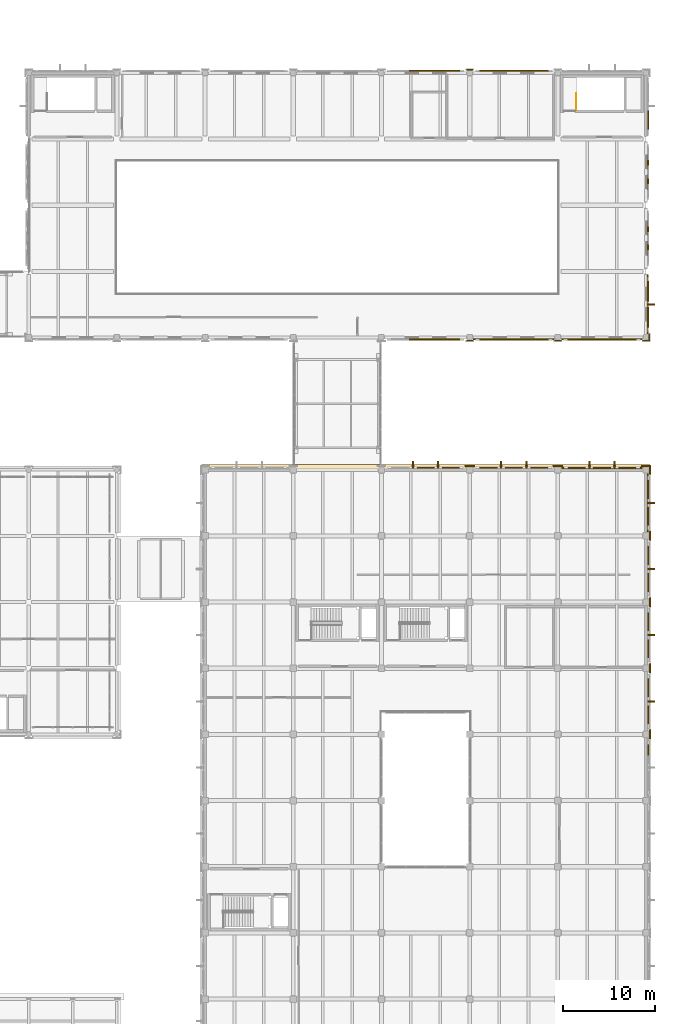
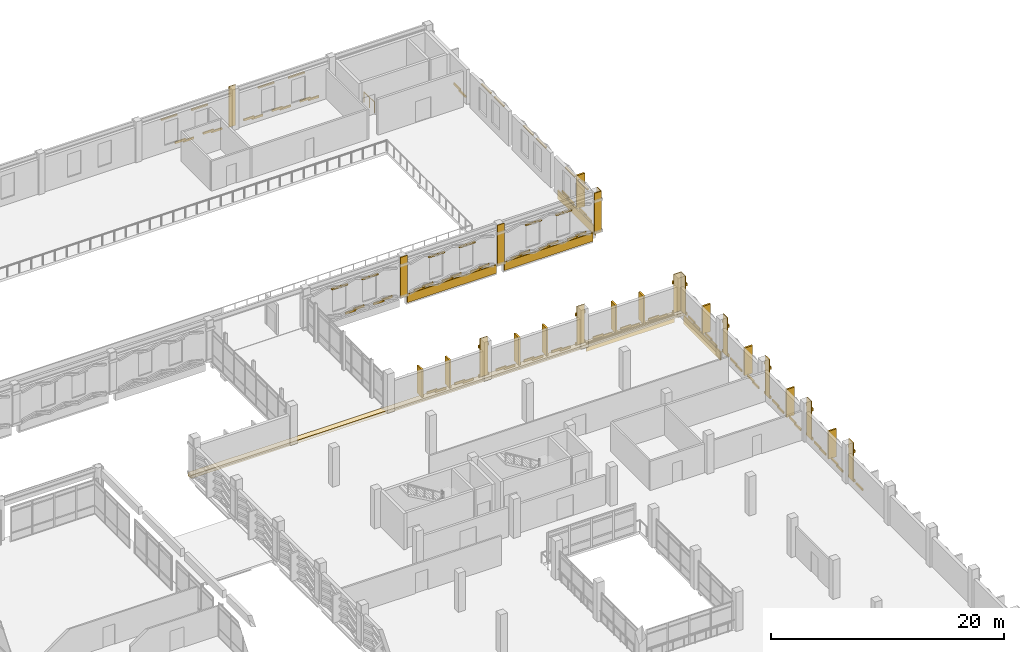
# One storey, part 178 of 180: 127 coverings, 1 railing.
"""IFC4 building model written with IfcOpenShell, lengths in metres."""

from ifc_helpers import new_model, si_unit, direction, frame, origin, origin_2d, place, context, subcontext, project, spatial, rectangle, circle, extrude, material, layer, layer_set, type_object, element, save


model = new_model("IFC4")

# Units and contexts
model_context = context("Model", 3, precision=1e-05, world=origin(), true_north=direction((0.0, 1.0)))
body_context = subcontext(model_context, "Body", "Model", "MODEL_VIEW")
ifc_project = project(units=[si_unit("LENGTHUNIT", "METRE"), si_unit("AREAUNIT", "SQUARE_METRE"), si_unit("VOLUMEUNIT", "CUBIC_METRE"), si_unit("PLANEANGLEUNIT", "RADIAN"), si_unit("MASSUNIT", "GRAM", prefix="KILO")], contexts=[model_context])

# Site, building, storey
site_placement = place(None, origin())
site = spatial("IfcSite", under=ifc_project, at=site_placement, CompositionType="ELEMENT")
building_placement = place(site_placement, origin())
building = spatial("IfcBuilding", under=site, at=building_placement, Name="Asteropetra Specialist Clinic", CompositionType="ELEMENT")
storey_placement = place(building_placement, frame((0.0, 0.0, 4.419921875)))
storey = spatial("IfcBuildingStorey", under=building, at=storey_placement, Name="L01", CompositionType="ELEMENT", Elevation=4.419921875)

# Coverings
ifc_material_1 = material(Name="Chevron aegean deep")
ifc_layer_1 = layer(ifc_material_1, 0.1201171875)
ifc_layer_set_1 = layer_set([ifc_layer_1], Name="Chevron aegean deep")
covering_type_1 = type_object("IfcCoveringType", Name="CLD-AEG-DEEP", PredefinedType="CLADDING", material=ifc_layer_set_1)
for number, where, z_axis, x_axis, name in (
    (1, (132.76025390625, 62.612548828125, 0.1201171875), (0.0, 0.0, 1.0), (1.0, 0.0, 0.0), "Chevron Ceramic Band CV-2038"),
    (2, (131.9462890625, 62.612548828125, 0.26025390625), (0.0, 0.0, 1.0), (1.0, 0.0, 0.0), "Chevron Ceramic Band CV-2039"),
    (3, (130.007080078125, 62.612548828125, 0.1201171875), (0.0, 0.0, 1.0), (1.0, 0.0, 0.0), "Chevron Ceramic Band CV-2040"),
    (4, (129.193115234375, 62.612548828125, 0.26025390625), (0.0, 0.0, 1.0), (1.0, 0.0, 0.0), "Chevron Ceramic Band CV-2041"),
    (5, (142.3603515625, 62.612548828125, 0.1201171875), (0.0, 0.0, 1.0), (1.0, 0.0, 0.0), "Chevron Ceramic Band CV-2050"),
    (6, (141.54638671875, 62.612548828125, 0.26025390625), (0.0, 0.0, 1.0), (1.0, 0.0, 0.0), "Chevron Ceramic Band CV-2051"),
    (7, (139.60693359375, 62.612548828125, 0.1201171875), (0.0, 0.0, 1.0), (1.0, 0.0, 0.0), "Chevron Ceramic Band CV-2052"),
    (8, (138.79296875, 62.612548828125, 0.26025390625), (0.0, 0.0, 1.0), (1.0, 0.0, 0.0), "Chevron Ceramic Band CV-2053"),
    (9, (136.853759765625, 62.612548828125, 0.1201171875), (0.0, 0.0, 1.0), (1.0, 0.0, 0.0), "Chevron Ceramic Band CV-2054"),
    (10, (136.039794921875, 62.612548828125, 0.26025390625), (0.0, 0.0, 1.0), (1.0, 0.0, 0.0), "Chevron Ceramic Band CV-2055"),
):
    element("IfcCovering", number, at=place(storey_placement, frame(where, z_axis=z_axis, x_axis=x_axis)), inside=storey, type_object=covering_type_1, Name=name, PredefinedType="CLADDING", context=body_context, shape_type="SweptSolid", body=[
        extrude(rectangle(XDim=1.0458984375, YDim=0.1201171875, at=origin_2d()), origin(), (0.0, 0.0, 1.0), 0.199951171875),
    ])
covering_1_placement = place(storey_placement, frame((148.800048828125, 62.597412109375, -0.7998046875), z_axis=(0.0, 0.0, 1.0), x_axis=(1.0, 0.0, 0.0)))
element("IfcCovering", 11, at=covering_1_placement, inside=storey, type_object=covering_type_1, Name="Chevron Spandrel Band CV-2063", PredefinedType="CLADDING", context=body_context, shape_type="SweptSolid", body=[
    extrude(rectangle(XDim=8.699951171875, YDim=0.1201171875, at=origin_2d()), origin(), (0.0, 0.0, 1.0), 0.8798828125),
])
for number, where, z_axis, x_axis, name in (
    (12, (151.960205078125, 62.612548828125, 0.1201171875), (0.0, 0.0, 1.0), (1.0, 0.0, 0.0), "Chevron Ceramic Band CV-2064"),
    (13, (151.146240234375, 62.612548828125, 0.26025390625), (0.0, 0.0, 1.0), (1.0, 0.0, 0.0), "Chevron Ceramic Band CV-2065"),
    (14, (149.20703125, 62.612548828125, 0.1201171875), (0.0, 0.0, 1.0), (1.0, 0.0, 0.0), "Chevron Ceramic Band CV-2066"),
    (15, (148.39306640625, 62.612548828125, 0.26025390625), (0.0, 0.0, 1.0), (1.0, 0.0, 0.0), "Chevron Ceramic Band CV-2067"),
    (16, (146.45361328125, 62.612548828125, 0.1201171875), (0.0, 0.0, 1.0), (1.0, 0.0, 0.0), "Chevron Ceramic Band CV-2068"),
    (17, (145.6396484375, 62.612548828125, 0.26025390625), (0.0, 0.0, 1.0), (1.0, 0.0, 0.0), "Chevron Ceramic Band CV-2069"),
):
    element("IfcCovering", number, at=place(storey_placement, frame(where, z_axis=z_axis, x_axis=x_axis)), inside=storey, type_object=covering_type_1, Name=name, PredefinedType="CLADDING", context=body_context, shape_type="SweptSolid", body=[
        extrude(rectangle(XDim=1.0458984375, YDim=0.1201171875, at=origin_2d()), origin(), (0.0, 0.0, 1.0), 0.199951171875),
    ])
for number, where, z_axis, x_axis, name in (
    (18, (153.8125, 31.8984375, 0.26025390625), (0.0, 0.0, 1.0), (1.0, 0.0, 0.0), "Chevron Ceramic Band CV-2109"),
    (19, (153.8125, 35.301513671875, 0.1201171875), (0.0, 0.0, 1.0), (1.0, 0.0, 0.0), "Chevron Ceramic Band CV-2114"),
    (20, (153.8125, 36.16845703125, 0.26025390625), (0.0, 0.0, 1.0), (1.0, 0.0, 0.0), "Chevron Ceramic Band CV-2115"),
    (21, (153.8125, 38.2314453125, 0.1201171875), (0.0, 0.0, 1.0), (1.0, 0.0, 0.0), "Chevron Ceramic Band CV-2116"),
    (22, (153.8125, 39.098388671875, 0.26025390625), (0.0, 0.0, 1.0), (1.0, 0.0, 0.0), "Chevron Ceramic Band CV-2117"),
    (23, (153.8125, 42.50146484375, 0.1201171875), (0.0, 0.0, 1.0), (1.0, 0.0, 0.0), "Chevron Ceramic Band CV-2122"),
    (24, (153.8125, 43.368408203125, 0.26025390625), (0.0, 0.0, 1.0), (1.0, 0.0, 0.0), "Chevron Ceramic Band CV-2123"),
    (25, (153.8125, 45.431396484375, 0.1201171875), (0.0, 0.0, 1.0), (1.0, 0.0, 0.0), "Chevron Ceramic Band CV-2124"),
    (26, (153.8125, 46.298583984375, 0.26025390625), (0.0, 0.0, 1.0), (1.0, 0.0, 0.0), "Chevron Ceramic Band CV-2125"),
    (27, (153.8125, 49.701416015625, 0.1201171875), (0.0, 0.0, 1.0), (1.0, 0.0, 0.0), "Chevron Ceramic Band CV-2131"),
    (28, (153.8125, 50.568603515625, 0.26025390625), (0.0, 0.0, 1.0), (1.0, 0.0, 0.0), "Chevron Ceramic Band CV-2132"),
    (29, (153.8125, 52.631591796875, 0.1201171875), (0.0, 0.0, 1.0), (1.0, 0.0, 0.0), "Chevron Ceramic Band CV-2133"),
    (30, (153.8125, 53.49853515625, 0.26025390625), (0.0, 0.0, 1.0), (1.0, 0.0, 0.0), "Chevron Ceramic Band CV-2134"),
):
    element("IfcCovering", number, at=place(storey_placement, frame(where, z_axis=z_axis, x_axis=x_axis)), inside=storey, type_object=covering_type_1, Name=name, PredefinedType="CLADDING", context=body_context, shape_type="SweptSolid", body=[
        extrude(rectangle(XDim=0.1201171875, YDim=1.113037109375, at=origin_2d()), origin(), (0.0, 0.0, 1.0), 0.199951171875),
    ])
covering_2_placement = place(storey_placement, frame((153.797607421875, 58.800048828125, -0.7998046875), z_axis=(0.0, 0.0, 1.0), x_axis=(1.0, 0.0, 0.0)))
element("IfcCovering", 31, at=covering_2_placement, inside=storey, type_object=covering_type_1, Name="Chevron Spandrel Band CV-2140", PredefinedType="CLADDING", context=body_context, shape_type="SweptSolid", body=[
    extrude(rectangle(XDim=0.1201171875, YDim=6.300048828125, at=origin_2d()), origin(), (0.0, 0.0, 1.0), 0.8798828125),
])
for number, where, z_axis, x_axis, name in (
    (32, (153.8125, 56.901611328125, 0.1201171875), (0.0, 0.0, 1.0), (1.0, 0.0, 0.0), "Chevron Ceramic Band CV-2141"),
    (33, (153.8125, 57.7685546875, 0.26025390625), (0.0, 0.0, 1.0), (1.0, 0.0, 0.0), "Chevron Ceramic Band CV-2142"),
    (34, (153.8125, 59.83154296875, 0.1201171875), (0.0, 0.0, 1.0), (1.0, 0.0, 0.0), "Chevron Ceramic Band CV-2143"),
    (35, (153.8125, 60.698486328125, 0.26025390625), (0.0, 0.0, 1.0), (1.0, 0.0, 0.0), "Chevron Ceramic Band CV-2144"),
):
    element("IfcCovering", number, at=place(storey_placement, frame(where, z_axis=z_axis, x_axis=x_axis)), inside=storey, type_object=covering_type_1, Name=name, PredefinedType="CLADDING", context=body_context, shape_type="SweptSolid", body=[
        extrude(rectangle(XDim=0.1201171875, YDim=1.113037109375, at=origin_2d()), origin(), (0.0, 0.0, 1.0), 0.199951171875),
    ])
ifc_material_2 = material(Name="Chevron terracotta deep", Category="masonry")
ifc_layer_2 = layer(ifc_material_2, 0.1201171875)
ifc_layer_set_2 = layer_set([ifc_layer_2], Name="Chevron terracotta deep")
covering_type_2 = type_object("IfcCoveringType", Name="CLD-TER-DEEP", PredefinedType="CLADDING", material=ifc_layer_set_2)
for number, where, z_axis, x_axis, name in (
    (36, (129.18798828125, 76.5849609375, 0.1201171875), (0.0, 0.0, 1.0), (1.0, 0.0, 0.0), "Chevron Ceramic Band CV-1265"),
    (37, (130.011962890625, 76.5849609375, 0.26025390625), (0.0, 0.0, 1.0), (1.0, 0.0, 0.0), "Chevron Ceramic Band CV-1266"),
    (38, (131.974609375, 76.5849609375, 0.1201171875), (0.0, 0.0, 1.0), (1.0, 0.0, 0.0), "Chevron Ceramic Band CV-1267"),
    (39, (132.798583984375, 76.5849609375, 0.26025390625), (0.0, 0.0, 1.0), (1.0, 0.0, 0.0), "Chevron Ceramic Band CV-1268"),
    (40, (132.798583984375, 105.81494140625, 0.1201171875), (0.0, 0.0, 1.0), (1.0, 0.0, 0.0), "Chevron Ceramic Band CV-1271"),
    (41, (131.974609375, 105.81494140625, 0.26025390625), (0.0, 0.0, 1.0), (1.0, 0.0, 0.0), "Chevron Ceramic Band CV-1272"),
    (42, (130.011962890625, 105.81494140625, 0.1201171875), (0.0, 0.0, 1.0), (1.0, 0.0, 0.0), "Chevron Ceramic Band CV-1273"),
    (43, (129.18798828125, 105.81494140625, 0.26025390625), (0.0, 0.0, 1.0), (1.0, 0.0, 0.0), "Chevron Ceramic Band CV-1274"),
):
    element("IfcCovering", number, at=place(storey_placement, frame(where, z_axis=z_axis, x_axis=x_axis)), inside=storey, type_object=covering_type_2, Name=name, PredefinedType="CLADDING", context=body_context, shape_type="SweptSolid", body=[
        extrude(rectangle(XDim=1.05908203125, YDim=0.1201171875, at=origin_2d()), origin(), (0.0, 0.0, 1.0), 0.199951171875),
    ])
covering_3_placement = place(storey_placement, frame((139.199951171875, 76.60009765625, -0.7998046875), z_axis=(0.0, 0.0, 1.0), x_axis=(1.0, 0.0, 0.0)))
element("IfcCovering", 44, at=covering_3_placement, inside=storey, type_object=covering_type_2, Name="Chevron Spandrel Band CV-1279", PredefinedType="CLADDING", context=body_context, shape_type="SweptSolid", body=[
    extrude(rectangle(XDim=8.800048828125, YDim=0.1201171875, at=origin_2d()), origin(), (0.0, 0.0, 1.0), 0.8798828125),
])
for number, where, z_axis, x_axis, name in (
    (45, (136.001220703125, 76.5849609375, 0.1201171875), (0.0, 0.0, 1.0), (1.0, 0.0, 0.0), "Chevron Ceramic Band CV-1280"),
    (46, (136.8251953125, 76.5849609375, 0.26025390625), (0.0, 0.0, 1.0), (1.0, 0.0, 0.0), "Chevron Ceramic Band CV-1281"),
    (47, (138.7880859375, 76.5849609375, 0.1201171875), (0.0, 0.0, 1.0), (1.0, 0.0, 0.0), "Chevron Ceramic Band CV-1282"),
    (48, (139.612060546875, 76.5849609375, 0.26025390625), (0.0, 0.0, 1.0), (1.0, 0.0, 0.0), "Chevron Ceramic Band CV-1283"),
    (49, (141.57470703125, 76.5849609375, 0.1201171875), (0.0, 0.0, 1.0), (1.0, 0.0, 0.0), "Chevron Ceramic Band CV-1284"),
    (50, (142.398681640625, 76.5849609375, 0.26025390625), (0.0, 0.0, 1.0), (1.0, 0.0, 0.0), "Chevron Ceramic Band CV-1285"),
    (51, (142.398681640625, 105.81494140625, 0.1201171875), (0.0, 0.0, 1.0), (1.0, 0.0, 0.0), "Chevron Ceramic Band CV-1288"),
    (52, (141.57470703125, 105.81494140625, 0.26025390625), (0.0, 0.0, 1.0), (1.0, 0.0, 0.0), "Chevron Ceramic Band CV-1289"),
    (53, (139.612060546875, 105.81494140625, 0.1201171875), (0.0, 0.0, 1.0), (1.0, 0.0, 0.0), "Chevron Ceramic Band CV-1290"),
    (54, (138.7880859375, 105.81494140625, 0.26025390625), (0.0, 0.0, 1.0), (1.0, 0.0, 0.0), "Chevron Ceramic Band CV-1291"),
    (55, (136.8251953125, 105.81494140625, 0.1201171875), (0.0, 0.0, 1.0), (1.0, 0.0, 0.0), "Chevron Ceramic Band CV-1292"),
    (56, (136.001220703125, 105.81494140625, 0.26025390625), (0.0, 0.0, 1.0), (1.0, 0.0, 0.0), "Chevron Ceramic Band CV-1293"),
):
    element("IfcCovering", number, at=place(storey_placement, frame(where, z_axis=z_axis, x_axis=x_axis)), inside=storey, type_object=covering_type_2, Name=name, PredefinedType="CLADDING", context=body_context, shape_type="SweptSolid", body=[
        extrude(rectangle(XDim=1.05908203125, YDim=0.1201171875, at=origin_2d()), origin(), (0.0, 0.0, 1.0), 0.199951171875),
    ])
covering_4_placement = place(storey_placement, frame((148.800048828125, 76.60009765625, -0.7998046875), z_axis=(0.0, 0.0, 1.0), x_axis=(1.0, 0.0, 0.0)))
element("IfcCovering", 57, at=covering_4_placement, inside=storey, type_object=covering_type_2, Name="Chevron Spandrel Band CV-1296", PredefinedType="CLADDING", context=body_context, shape_type="SweptSolid", body=[
    extrude(rectangle(XDim=8.800048828125, YDim=0.1201171875, at=origin_2d()), origin(), (0.0, 0.0, 1.0), 0.8798828125),
])
for number, where, z_axis, x_axis, name in (
    (58, (145.601318359375, 76.5849609375, 0.1201171875), (0.0, 0.0, 1.0), (1.0, 0.0, 0.0), "Chevron Ceramic Band CV-1297"),
    (59, (146.42529296875, 76.5849609375, 0.26025390625), (0.0, 0.0, 1.0), (1.0, 0.0, 0.0), "Chevron Ceramic Band CV-1298"),
    (60, (148.387939453125, 76.5849609375, 0.1201171875), (0.0, 0.0, 1.0), (1.0, 0.0, 0.0), "Chevron Ceramic Band CV-1299"),
    (61, (149.2119140625, 76.5849609375, 0.26025390625), (0.0, 0.0, 1.0), (1.0, 0.0, 0.0), "Chevron Ceramic Band CV-1300"),
    (62, (151.1748046875, 76.5849609375, 0.1201171875), (0.0, 0.0, 1.0), (1.0, 0.0, 0.0), "Chevron Ceramic Band CV-1301"),
    (63, (151.998779296875, 76.5849609375, 0.26025390625), (0.0, 0.0, 1.0), (1.0, 0.0, 0.0), "Chevron Ceramic Band CV-1302"),
):
    element("IfcCovering", number, at=place(storey_placement, frame(where, z_axis=z_axis, x_axis=x_axis)), inside=storey, type_object=covering_type_2, Name=name, PredefinedType="CLADDING", context=body_context, shape_type="SweptSolid", body=[
        extrude(rectangle(XDim=1.05908203125, YDim=0.1201171875, at=origin_2d()), origin(), (0.0, 0.0, 1.0), 0.199951171875),
    ])
covering_5_placement = place(storey_placement, frame((153.800048828125, 80.409912109375, -0.7998046875), z_axis=(0.0, 0.0, 1.0), x_axis=(1.0, 0.0, 0.0)))
element("IfcCovering", 64, at=covering_5_placement, inside=storey, type_object=covering_type_2, Name="Chevron Spandrel Band CV-1312", PredefinedType="CLADDING", context=body_context, shape_type="SweptSolid", body=[
    extrude(rectangle(XDim=0.1201171875, YDim=6.419921875, at=origin_2d()), origin(), (0.0, 0.0, 1.0), 0.8798828125),
])
for number, where, z_axis, x_axis, name in (
    (65, (153.81494140625, 78.472412109375, 0.1201171875), (0.0, 0.0, 1.0), (1.0, 0.0, 0.0), "Chevron Ceramic Band CV-1313"),
    (66, (153.81494140625, 79.357421875, 0.26025390625), (0.0, 0.0, 1.0), (1.0, 0.0, 0.0), "Chevron Ceramic Band CV-1314"),
    (67, (153.81494140625, 81.46240234375, 0.1201171875), (0.0, 0.0, 1.0), (1.0, 0.0, 0.0), "Chevron Ceramic Band CV-1315"),
    (68, (153.81494140625, 82.347412109375, 0.26025390625), (0.0, 0.0, 1.0), (1.0, 0.0, 0.0), "Chevron Ceramic Band CV-1316"),
    (69, (153.81494140625, 100.052490234375, 0.1201171875), (0.0, 0.0, 1.0), (1.0, 0.0, 0.0), "Chevron Ceramic Band CV-1355"),
    (70, (153.81494140625, 100.9375, 0.26025390625), (0.0, 0.0, 1.0), (1.0, 0.0, 0.0), "Chevron Ceramic Band CV-1356"),
):
    element("IfcCovering", number, at=place(storey_placement, frame(where, z_axis=z_axis, x_axis=x_axis)), inside=storey, type_object=covering_type_2, Name=name, PredefinedType="CLADDING", context=body_context, shape_type="SweptSolid", body=[
        extrude(rectangle(XDim=0.1201171875, YDim=1.135986328125, at=origin_2d()), origin(), (0.0, 0.0, 1.0), 0.199951171875),
    ])
ifc_material_3 = material(Name="Pentelic marble ashlar", Category="masonry")
ifc_layer_3 = layer(ifc_material_3, 0.159912109375)
ifc_layer_set_3 = layer_set([ifc_layer_3], Name="Pentelic marble ashlar")
covering_type_3 = type_object("IfcCoveringType", Name="CRN-ENTAB-600", PredefinedType="MOLDING", material=ifc_layer_set_3)
for number, where, z_axis, x_axis, name in (
    (71, (134.39990234375, 76.468017578125, 0.02001953125), (0.0, 0.0, 1.0), (1.0, 0.0, 0.0), "Neoclassical Pilaster Facing CM-0211"),
    (72, (134.39990234375, 105.931884765625, 0.02001953125), (0.0, 0.0, 1.0), (1.0, 0.0, 0.0), "Neoclassical Pilaster Facing CM-0214"),
    (73, (144.0, 76.468017578125, 0.02001953125), (0.0, 0.0, 1.0), (1.0, 0.0, 0.0), "Neoclassical Pilaster Facing CM-0217"),
    (74, (153.60009765625, 76.468017578125, 0.02001953125), (0.0, 0.0, 1.0), (1.0, 0.0, 0.0), "Neoclassical Pilaster Facing CM-0223"),
):
    element("IfcCovering", number, at=place(storey_placement, frame(where, z_axis=z_axis, x_axis=x_axis)), inside=storey, type_object=covering_type_3, Name=name, PredefinedType="MOLDING", context=body_context, shape_type="SweptSolid", body=[
        extrude(rectangle(XDim=0.679931640625, YDim=0.080078125, at=origin_2d()), origin(), (0.0, 0.0, 1.0), 4.239990234375),
    ])
covering_6_placement = place(storey_placement, frame((153.931884765625, 76.800048828125, 0.02001953125), z_axis=(0.0, 0.0, 1.0), x_axis=(1.0, 0.0, 0.0)))
element("IfcCovering", 75, at=covering_6_placement, inside=storey, type_object=covering_type_3, Name="Neoclassical Pilaster Facing CM-0226", PredefinedType="MOLDING", context=body_context, shape_type="SweptSolid", body=[
    extrude(rectangle(XDim=0.080078125, YDim=0.679931640625, at=origin_2d()), origin(), (0.0, 0.0, 1.0), 4.239990234375),
])
covering_7_placement = place(storey_placement, frame((134.39990234375, 62.781982421875, 0.02001953125), z_axis=(0.0, 0.0, 1.0), x_axis=(1.0, 0.0, 0.0)))
element("IfcCovering", 76, at=covering_7_placement, inside=storey, type_object=covering_type_3, Name="Neoclassical Pilaster Facing CM-1064", PredefinedType="MOLDING", context=body_context, shape_type="SweptSolid", body=[
    extrude(rectangle(XDim=0.780029296875, YDim=0.080078125, at=origin_2d()), origin(), (0.0, 0.0, 1.0), 4.0400390625),
])
for number, where, z_axis, x_axis, name in (
    (77, (134.39990234375, 62.822021484375, 0.01025390625), (0.0, 0.0, 1.0), (1.0, 0.0, 0.0), "Doric Base CC-1065"),
    (78, (134.39990234375, 62.822021484375, 3.08984375), (0.0, 0.0, 1.0), (1.0, 0.0, 0.0), "Doric Capital CC-1066"),
):
    element("IfcCovering", number, at=place(storey_placement, frame(where, z_axis=z_axis, x_axis=x_axis)), inside=storey, type_object=covering_type_3, Name=name, PredefinedType="MOLDING", context=body_context, shape_type="SweptSolid", body=[
        extrude(rectangle(XDim=0.97998046875, YDim=0.159912109375, at=origin_2d()), origin(), (0.0, 0.0, 1.0), 0.260009765625),
    ])
covering_8_placement = place(storey_placement, frame((144.0, 62.781982421875, 0.02001953125), z_axis=(0.0, 0.0, 1.0), x_axis=(1.0, 0.0, 0.0)))
element("IfcCovering", 79, at=covering_8_placement, inside=storey, type_object=covering_type_3, Name="Neoclassical Pilaster Facing CM-1070", PredefinedType="MOLDING", context=body_context, shape_type="SweptSolid", body=[
    extrude(rectangle(XDim=0.780029296875, YDim=0.080078125, at=origin_2d()), origin(), (0.0, 0.0, 1.0), 4.0400390625),
])
for number, where, z_axis, x_axis, name in (
    (80, (144.0, 62.822021484375, 0.01025390625), (0.0, 0.0, 1.0), (1.0, 0.0, 0.0), "Doric Base CC-1071"),
    (81, (144.0, 62.822021484375, 3.08984375), (0.0, 0.0, 1.0), (1.0, 0.0, 0.0), "Doric Capital CC-1072"),
):
    element("IfcCovering", number, at=place(storey_placement, frame(where, z_axis=z_axis, x_axis=x_axis)), inside=storey, type_object=covering_type_3, Name=name, PredefinedType="MOLDING", context=body_context, shape_type="SweptSolid", body=[
        extrude(rectangle(XDim=0.97998046875, YDim=0.159912109375, at=origin_2d()), origin(), (0.0, 0.0, 1.0), 0.260009765625),
    ])
covering_9_placement = place(storey_placement, frame((153.98193359375, 33.60009765625, 0.02001953125), z_axis=(0.0, 0.0, 1.0), x_axis=(1.0, 0.0, 0.0)))
element("IfcCovering", 82, at=covering_9_placement, inside=storey, type_object=covering_type_3, Name="Neoclassical Pilaster Facing CM-1091", PredefinedType="MOLDING", context=body_context, shape_type="SweptSolid", body=[
    extrude(rectangle(XDim=0.080078125, YDim=0.780029296875, at=origin_2d()), origin(), (0.0, 0.0, 1.0), 4.0400390625),
])
for number, where, z_axis, x_axis, name in (
    (83, (154.02197265625, 33.60009765625, 0.01025390625), (0.0, 0.0, 1.0), (1.0, 0.0, 0.0), "Doric Base CC-1092"),
    (84, (154.02197265625, 33.60009765625, 3.08984375), (0.0, 0.0, 1.0), (1.0, 0.0, 0.0), "Doric Capital CC-1093"),
):
    element("IfcCovering", number, at=place(storey_placement, frame(where, z_axis=z_axis, x_axis=x_axis)), inside=storey, type_object=covering_type_3, Name=name, PredefinedType="MOLDING", context=body_context, shape_type="SweptSolid", body=[
        extrude(rectangle(XDim=0.159912109375, YDim=0.97998046875, at=origin_2d()), origin(), (0.0, 0.0, 1.0), 0.260009765625),
    ])
covering_10_placement = place(storey_placement, frame((153.98193359375, 40.800048828125, 0.02001953125), z_axis=(0.0, 0.0, 1.0), x_axis=(1.0, 0.0, 0.0)))
element("IfcCovering", 85, at=covering_10_placement, inside=storey, type_object=covering_type_3, Name="Neoclassical Pilaster Facing CM-1094", PredefinedType="MOLDING", context=body_context, shape_type="SweptSolid", body=[
    extrude(rectangle(XDim=0.080078125, YDim=0.780029296875, at=origin_2d()), origin(), (0.0, 0.0, 1.0), 4.0400390625),
])
for number, where, z_axis, x_axis, name in (
    (86, (154.02197265625, 40.800048828125, 0.01025390625), (0.0, 0.0, 1.0), (1.0, 0.0, 0.0), "Doric Base CC-1095"),
    (87, (154.02197265625, 40.800048828125, 3.08984375), (0.0, 0.0, 1.0), (1.0, 0.0, 0.0), "Doric Capital CC-1096"),
):
    element("IfcCovering", number, at=place(storey_placement, frame(where, z_axis=z_axis, x_axis=x_axis)), inside=storey, type_object=covering_type_3, Name=name, PredefinedType="MOLDING", context=body_context, shape_type="SweptSolid", body=[
        extrude(rectangle(XDim=0.159912109375, YDim=0.97998046875, at=origin_2d()), origin(), (0.0, 0.0, 1.0), 0.260009765625),
    ])
covering_11_placement = place(storey_placement, frame((153.98193359375, 48.0, 0.02001953125), z_axis=(0.0, 0.0, 1.0), x_axis=(1.0, 0.0, 0.0)))
element("IfcCovering", 88, at=covering_11_placement, inside=storey, type_object=covering_type_3, Name="Neoclassical Pilaster Facing CM-1097", PredefinedType="MOLDING", context=body_context, shape_type="SweptSolid", body=[
    extrude(rectangle(XDim=0.080078125, YDim=0.780029296875, at=origin_2d()), origin(), (0.0, 0.0, 1.0), 4.0400390625),
])
for number, where, z_axis, x_axis, name in (
    (89, (154.02197265625, 48.0, 0.01025390625), (0.0, 0.0, 1.0), (1.0, 0.0, 0.0), "Doric Base CC-1098"),
    (90, (154.02197265625, 48.0, 3.08984375), (0.0, 0.0, 1.0), (1.0, 0.0, 0.0), "Doric Capital CC-1099"),
):
    element("IfcCovering", number, at=place(storey_placement, frame(where, z_axis=z_axis, x_axis=x_axis)), inside=storey, type_object=covering_type_3, Name=name, PredefinedType="MOLDING", context=body_context, shape_type="SweptSolid", body=[
        extrude(rectangle(XDim=0.159912109375, YDim=0.97998046875, at=origin_2d()), origin(), (0.0, 0.0, 1.0), 0.260009765625),
    ])
covering_12_placement = place(storey_placement, frame((153.98193359375, 55.199951171875, 0.02001953125), z_axis=(0.0, 0.0, 1.0), x_axis=(1.0, 0.0, 0.0)))
element("IfcCovering", 91, at=covering_12_placement, inside=storey, type_object=covering_type_3, Name="Neoclassical Pilaster Facing CM-1100", PredefinedType="MOLDING", context=body_context, shape_type="SweptSolid", body=[
    extrude(rectangle(XDim=0.080078125, YDim=0.780029296875, at=origin_2d()), origin(), (0.0, 0.0, 1.0), 4.0400390625),
])
for number, where, z_axis, x_axis, name in (
    (92, (154.02197265625, 55.199951171875, 0.01025390625), (0.0, 0.0, 1.0), (1.0, 0.0, 0.0), "Doric Base CC-1101"),
    (93, (154.02197265625, 55.199951171875, 3.08984375), (0.0, 0.0, 1.0), (1.0, 0.0, 0.0), "Doric Capital CC-1102"),
):
    element("IfcCovering", number, at=place(storey_placement, frame(where, z_axis=z_axis, x_axis=x_axis)), inside=storey, type_object=covering_type_3, Name=name, PredefinedType="MOLDING", context=body_context, shape_type="SweptSolid", body=[
        extrude(rectangle(XDim=0.159912109375, YDim=0.97998046875, at=origin_2d()), origin(), (0.0, 0.0, 1.0), 0.260009765625),
    ])
covering_13_placement = place(storey_placement, frame((153.60009765625, 62.781982421875, 0.02001953125), z_axis=(0.0, 0.0, 1.0), x_axis=(1.0, 0.0, 0.0)))
element("IfcCovering", 94, at=covering_13_placement, inside=storey, type_object=covering_type_3, Name="Neoclassical Pilaster Facing CM-1103", PredefinedType="MOLDING", context=body_context, shape_type="SweptSolid", body=[
    extrude(rectangle(XDim=0.780029296875, YDim=0.080078125, at=origin_2d()), origin(), (0.0, 0.0, 1.0), 4.0400390625),
])
for number, where, z_axis, x_axis, name in (
    (95, (153.60009765625, 62.822021484375, 0.01025390625), (0.0, 0.0, 1.0), (1.0, 0.0, 0.0), "Doric Base CC-1104"),
    (96, (153.60009765625, 62.822021484375, 3.08984375), (0.0, 0.0, 1.0), (1.0, 0.0, 0.0), "Doric Capital CC-1105"),
):
    element("IfcCovering", number, at=place(storey_placement, frame(where, z_axis=z_axis, x_axis=x_axis)), inside=storey, type_object=covering_type_3, Name=name, PredefinedType="MOLDING", context=body_context, shape_type="SweptSolid", body=[
        extrude(rectangle(XDim=0.97998046875, YDim=0.159912109375, at=origin_2d()), origin(), (0.0, 0.0, 1.0), 0.260009765625),
    ])
covering_14_placement = place(storey_placement, frame((153.98193359375, 62.39990234375, 0.02001953125), z_axis=(0.0, 0.0, 1.0), x_axis=(1.0, 0.0, 0.0)))
element("IfcCovering", 97, at=covering_14_placement, inside=storey, type_object=covering_type_3, Name="Neoclassical Pilaster Facing CM-1106", PredefinedType="MOLDING", context=body_context, shape_type="SweptSolid", body=[
    extrude(rectangle(XDim=0.080078125, YDim=0.780029296875, at=origin_2d()), origin(), (0.0, 0.0, 1.0), 4.0400390625),
])
for number, where, z_axis, x_axis, name in (
    (98, (154.02197265625, 62.39990234375, 0.01025390625), (0.0, 0.0, 1.0), (1.0, 0.0, 0.0), "Doric Base CC-1107"),
    (99, (154.02197265625, 62.39990234375, 3.08984375), (0.0, 0.0, 1.0), (1.0, 0.0, 0.0), "Doric Capital CC-1108"),
):
    element("IfcCovering", number, at=place(storey_placement, frame(where, z_axis=z_axis, x_axis=x_axis)), inside=storey, type_object=covering_type_3, Name=name, PredefinedType="MOLDING", context=body_context, shape_type="SweptSolid", body=[
        extrude(rectangle(XDim=0.159912109375, YDim=0.97998046875, at=origin_2d()), origin(), (0.0, 0.0, 1.0), 0.260009765625),
    ])
for number, where, z_axis, x_axis, name in (
    (100, (128.10009765625, 76.570068359375, 3.14990234375), (0.0, 0.0, 1.0), (1.0, 0.0, 0.0), "Classical Window Hood WH-1261"),
    (101, (131.10009765625, 76.570068359375, 3.14990234375), (0.0, 0.0, 1.0), (1.0, 0.0, 0.0), "Classical Window Hood WH-1262"),
    (102, (131.10009765625, 105.830078125, 3.14990234375), (0.0, 0.0, 1.0), (1.0, 0.0, 0.0), "Classical Window Hood WH-1269"),
    (103, (128.10009765625, 105.830078125, 3.14990234375), (0.0, 0.0, 1.0), (1.0, 0.0, 0.0), "Classical Window Hood WH-1270"),
    (104, (137.699951171875, 76.570068359375, 3.14990234375), (0.0, 0.0, 1.0), (1.0, 0.0, 0.0), "Classical Window Hood WH-1277"),
    (105, (140.699951171875, 76.570068359375, 3.14990234375), (0.0, 0.0, 1.0), (1.0, 0.0, 0.0), "Classical Window Hood WH-1278"),
    (106, (140.699951171875, 105.830078125, 3.14990234375), (0.0, 0.0, 1.0), (1.0, 0.0, 0.0), "Classical Window Hood WH-1286"),
    (107, (137.699951171875, 105.830078125, 3.14990234375), (0.0, 0.0, 1.0), (1.0, 0.0, 0.0), "Classical Window Hood WH-1287"),
    (108, (147.300048828125, 76.570068359375, 3.14990234375), (0.0, 0.0, 1.0), (1.0, 0.0, 0.0), "Classical Window Hood WH-1294"),
    (109, (150.300048828125, 76.570068359375, 3.14990234375), (0.0, 0.0, 1.0), (1.0, 0.0, 0.0), "Classical Window Hood WH-1295"),
):
    element("IfcCovering", number, at=place(storey_placement, frame(where, z_axis=z_axis, x_axis=x_axis)), inside=storey, type_object=covering_type_3, Name=name, PredefinedType="MOLDING", context=body_context, shape_type="SweptSolid", body=[
        extrude(rectangle(XDim=1.590087890625, YDim=0.159912109375, at=origin_2d()), origin(), (0.0, 0.0, 1.0), 0.139892578125),
    ])
for number, where, z_axis, x_axis, name in (
    (110, (153.830078125, 79.306640625, 3.14990234375), (0.0, 0.0, 1.0), (1.0, 0.0, 0.0), "Classical Window Hood WH-1310"),
    (111, (153.830078125, 81.51318359375, 3.14990234375), (0.0, 0.0, 1.0), (1.0, 0.0, 0.0), "Classical Window Hood WH-1311"),
    (112, (153.830078125, 86.493408203125, 3.14990234375), (0.0, 0.0, 1.0), (1.0, 0.0, 0.0), "Classical Window Hood WH-1325"),
    (113, (153.830078125, 88.706787109375, 3.14990234375), (0.0, 0.0, 1.0), (1.0, 0.0, 0.0), "Classical Window Hood WH-1326"),
    (114, (153.830078125, 93.693359375, 3.14990234375), (0.0, 0.0, 1.0), (1.0, 0.0, 0.0), "Classical Window Hood WH-1341"),
    (115, (153.830078125, 95.90673828125, 3.14990234375), (0.0, 0.0, 1.0), (1.0, 0.0, 0.0), "Classical Window Hood WH-1342"),
):
    element("IfcCovering", number, at=place(storey_placement, frame(where, z_axis=z_axis, x_axis=x_axis)), inside=storey, type_object=covering_type_3, Name=name, PredefinedType="MOLDING", context=body_context, shape_type="SweptSolid", body=[
        extrude(rectangle(XDim=0.159912109375, YDim=1.590087890625, at=origin_2d()), origin(), (0.0, 0.0, 1.0), 0.139892578125),
    ])
covering_15_placement = place(storey_placement, frame((129.60009765625, 62.679931640625, -0.27978515625), z_axis=(0.0, 0.0, 1.0), x_axis=(1.0, 0.0, 0.0)))
element("IfcCovering", 116, at=covering_15_placement, inside=storey, type_object=covering_type_3, Name="Classical Entablature Cornice EC-014", PredefinedType="MOLDING", context=body_context, shape_type="SweptSolid", body=[
    extrude(rectangle(XDim=48.800048828125, YDim=0.56005859375, at=origin_2d()), origin(), (0.0, 0.0, 1.0), 0.320068359375),
])
ifc_material_4 = material(Name="Pentelic marble solar fin", Category="masonry")
ifc_layer_4 = layer(ifc_material_4, 0.080078125)
ifc_layer_set_4 = layer_set([ifc_layer_4], Name="Pentelic marble solar fin")
covering_type_4 = type_object("IfcCoveringType", Name="FIN-SOLAR-800", PredefinedType="MOLDING", material=ifc_layer_set_4)
covering_16_placement = place(storey_placement, frame((154.155029296875, 80.409912109375, 0.0703125), z_axis=(0.0, 0.0, 1.0), x_axis=(1.0, 0.0, 0.0)))
element("IfcCovering", 117, at=covering_16_placement, inside=storey, type_object=covering_type_4, Name="Solar Shading Fin FN-0005", PredefinedType="MOLDING", context=body_context, shape_type="SweptSolid", body=[
    extrude(rectangle(XDim=0.800048828125, YDim=0.159912109375, at=origin_2d()), origin(), (0.0, 0.0, 1.0), 3.489990234375),
])
for number, where, z_axis, x_axis, name in (
    (118, (130.976806640625, 62.952392578125, 0.0703125), (0.0, 0.0, 1.0), (1.0, 0.0, 0.0), "Solar Shading Fin FN-0156"),
    (119, (128.223388671875, 62.952392578125, 0.0703125), (0.0, 0.0, 1.0), (1.0, 0.0, 0.0), "Solar Shading Fin FN-0157"),
    (120, (140.57666015625, 62.952392578125, 0.0703125), (0.0, 0.0, 1.0), (1.0, 0.0, 0.0), "Solar Shading Fin FN-0160"),
    (121, (137.8232421875, 62.952392578125, 0.0703125), (0.0, 0.0, 1.0), (1.0, 0.0, 0.0), "Solar Shading Fin FN-0161"),
    (122, (150.1767578125, 62.952392578125, 0.0703125), (0.0, 0.0, 1.0), (1.0, 0.0, 0.0), "Solar Shading Fin FN-0164"),
    (123, (147.42333984375, 62.952392578125, 0.0703125), (0.0, 0.0, 1.0), (1.0, 0.0, 0.0), "Solar Shading Fin FN-0165"),
):
    element("IfcCovering", number, at=place(storey_placement, frame(where, z_axis=z_axis, x_axis=x_axis)), inside=storey, type_object=covering_type_4, Name=name, PredefinedType="MOLDING", context=body_context, shape_type="SweptSolid", body=[
        extrude(rectangle(XDim=0.159912109375, YDim=0.800048828125, at=origin_2d()), origin(), (0.0, 0.0, 1.0), 2.909912109375),
    ])
for number, where, z_axis, x_axis, name in (
    (124, (154.152587890625, 37.199951171875, 0.070068359375), (0.0, 0.0, 1.0), (1.0, 0.0, 0.0), "Solar Shading Fin FN-0177"),
    (125, (154.152587890625, 44.39990234375, 0.070068359375), (0.0, 0.0, 1.0), (1.0, 0.0, 0.0), "Solar Shading Fin FN-0179"),
):
    element("IfcCovering", number, at=place(storey_placement, frame(where, z_axis=z_axis, x_axis=x_axis)), inside=storey, type_object=covering_type_4, Name=name, PredefinedType="MOLDING", context=body_context, shape_type="SweptSolid", body=[
        extrude(rectangle(XDim=0.800048828125, YDim=0.159912109375, at=origin_2d()), origin(), (0.0, 0.0, 1.0), 2.919921875),
    ])
for number, where, z_axis, x_axis, name in (
    (126, (154.152587890625, 51.60009765625, 0.0703125), (0.0, 0.0, 1.0), (1.0, 0.0, 0.0), "Solar Shading Fin FN-0181"),
    (127, (154.152587890625, 58.800048828125, 0.0703125), (0.0, 0.0, 1.0), (1.0, 0.0, 0.0), "Solar Shading Fin FN-0183"),
):
    element("IfcCovering", number, at=place(storey_placement, frame(where, z_axis=z_axis, x_axis=x_axis)), inside=storey, type_object=covering_type_4, Name=name, PredefinedType="MOLDING", context=body_context, shape_type="SweptSolid", body=[
        extrude(rectangle(XDim=0.800048828125, YDim=0.159912109375, at=origin_2d()), origin(), (0.0, 0.0, 1.0), 2.909912109375),
    ])

# Railing
ifc_material_5 = material(Name="Steel S355 and laminated glass guard", Category="steel")
railing_type = type_object("IfcRailingType", Name="GRD-INT-1120", PredefinedType="GUARDRAIL", material=ifc_material_5)
railing_placement = place(storey_placement, frame((146.0, 101.580078125, 0.0)))
element("IfcRailing", 128, at=railing_placement, inside=storey, type_object=railing_type, Name="Stair Well Guard ST12-L00", PredefinedType="GUARDRAIL", context=body_context, shape_type="SweptSolid", body=[
    extrude(circle(Radius=0.02392578125, at=origin_2d()), frame((0.0, 0.0, 1.09619140625), z_axis=(0.0, 1.0, 0.0), x_axis=(-1.0, 0.0, 0.0)), (0.0, 0.0, 1.0), 1.780029296875),
    extrude(circle(Radius=0.02099609375, at=origin_2d()), origin(), (0.0, 0.0, 1.0), 1.072021484375),
    extrude(circle(Radius=0.02099609375, at=origin_2d()), frame((0.0, 0.89013671875, 0.0)), (0.0, 0.0, 1.0), 1.072021484375),
    extrude(circle(Radius=0.02099609375, at=origin_2d()), frame((0.0, 1.780029296875, 0.0)), (0.0, 0.0, 1.0), 1.072021484375),
])

save(model, "model.ifc")
